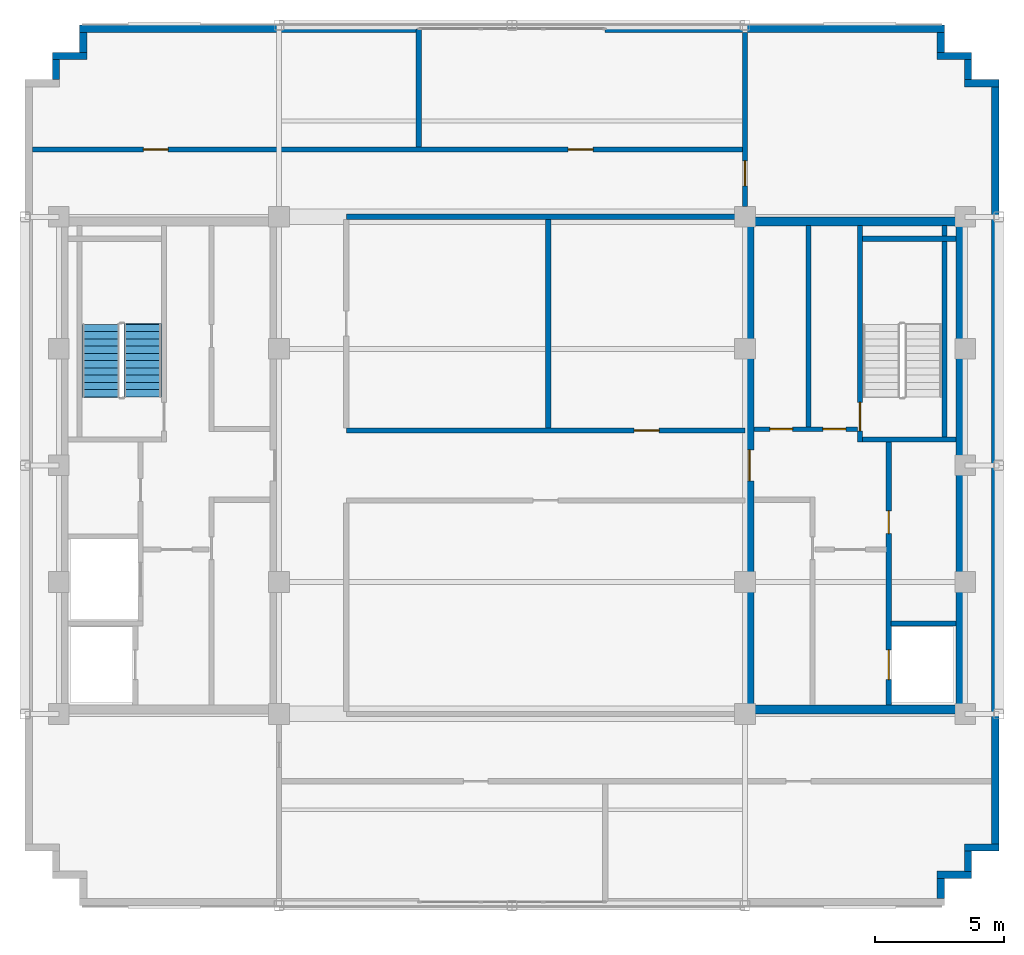
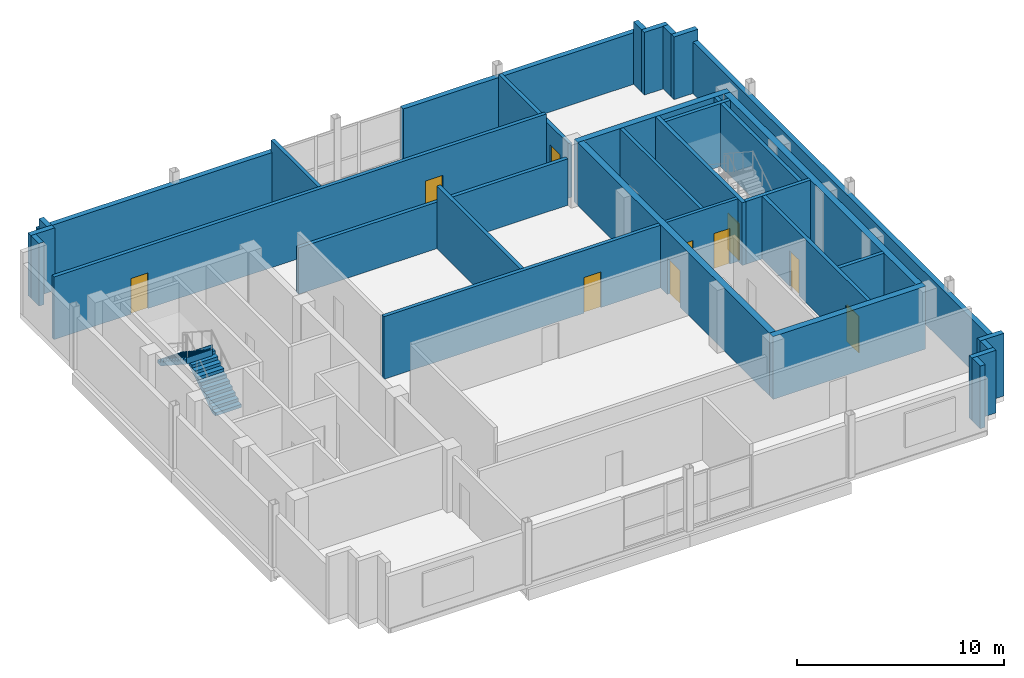
# One storey, part 3 of 10: 32 walls, 10 doors, 2 stair flights, 10 openings, 1 element without a shape of its own.
"""IFC4 building model written with IfcOpenShell, lengths in metres."""

from ifc_helpers import new_model, si_unit, direction, frame, frame_2d, origin, place, context, subcontext, project, spatial, polyline, rectangle, outline, extrude, source, transform, mapped, material, layer, layer_set, type_object, type_shapes, element, fill, aggregate, save


model = new_model("IFC4")

# Units and contexts
model_context = context("Model", 3, precision=1e-05, world=origin(), true_north=direction((0.0, 1.0)))
body_context = subcontext(model_context, "Body", "Model", "MODEL_VIEW")
ifc_project = project(units=[si_unit("LENGTHUNIT", "METRE"), si_unit("AREAUNIT", "SQUARE_METRE"), si_unit("VOLUMEUNIT", "CUBIC_METRE"), si_unit("PLANEANGLEUNIT", "RADIAN"), si_unit("MASSUNIT", "GRAM", prefix="KILO")], contexts=[model_context])

# Site, building, storey
site_placement = place(None, origin())
site = spatial("IfcSite", under=ifc_project, at=site_placement, CompositionType="ELEMENT")
building_placement = place(site_placement, origin())
building = spatial("IfcBuilding", under=site, at=building_placement, Name="Nuvemarco Arch Tower", CompositionType="ELEMENT")
storey_placement = place(building_placement, frame((0.0, 0.0, 291.14990234375)))
storey = spatial("IfcBuildingStorey", under=building, at=storey_placement, Name="L77", CompositionType="ELEMENT", Elevation=291.14990234375)

# Walls
ifc_material_1 = material(Name="Precast concrete C45/55", Category="concrete")
ifc_layer_1 = layer(ifc_material_1, 0.280029296875, Name="EW-CRN-280")
ifc_layer_set_1 = layer_set([ifc_layer_1], Name="Precast concrete C45/55")
wall_type_1 = type_object("IfcWallType", Name="EW-CRN-280", PredefinedType="STANDARD", material=ifc_layer_set_1)
wall_1_placement = place(storey_placement, frame((16.56005859375, -16.72412109375, 0.0), z_axis=(0.0, 0.0, 1.0), x_axis=(0.0, 1.0, 0.0)))
element("IfcWall", 1, at=wall_1_placement, inside=storey, type_object=wall_type_1, Name="L77 exterior precast facade wall 2", PredefinedType="STANDARD", context=body_context, shape_type="SweptSolid", body=[
    extrude(rectangle(XDim=0.778076171875, YDim=0.280029296875, at=frame_2d((0.38916015625, 0.0))), origin(), (0.0, 0.0, 1.0), 3.690185546875),
])
wall_2_placement = place(storey_placement, frame((16.419921875, -15.81005859375, 0.0), z_axis=(0.0, 0.0, 1.0), x_axis=(1.0, 0.0, 0.0)))
element("IfcWall", 2, at=wall_2_placement, inside=storey, type_object=wall_type_1, Name="L77 exterior precast facade wall 3", PredefinedType="STANDARD", context=body_context, shape_type="SweptSolid", body=[
    extrude(rectangle(XDim=1.330078125, YDim=0.280029296875, at=frame_2d((0.6650390625, 0.0))), origin(), (0.0, 0.0, 1.0), 3.690185546875),
])
wall_3_placement = place(storey_placement, frame((17.610107421875, -15.674072265625, 0.0), z_axis=(0.0, 0.0, 1.0), x_axis=(0.0, 1.0, 0.0)))
element("IfcWall", 3, at=wall_3_placement, inside=storey, type_object=wall_type_1, Name="L77 exterior precast facade wall 4", PredefinedType="STANDARD", context=body_context, shape_type="SweptSolid", body=[
    extrude(rectangle(XDim=0.778076171875, YDim=0.280029296875, at=frame_2d((0.38916015625, 0.0))), origin(), (0.0, 0.0, 1.0), 3.690185546875),
])
wall_4_placement = place(storey_placement, frame((17.469970703125, -14.760009765625, 0.0), z_axis=(0.0, 0.0, 1.0), x_axis=(1.0, 0.0, 0.0)))
element("IfcWall", 4, at=wall_4_placement, inside=storey, type_object=wall_type_1, Name="L77 exterior precast facade wall 5", PredefinedType="STANDARD", context=body_context, shape_type="SweptSolid", body=[
    extrude(rectangle(XDim=1.330078125, YDim=0.280029296875, at=frame_2d((0.6650390625, 0.0))), origin(), (0.0, 0.0, 1.0), 3.690185546875),
])
wall_5_placement = place(storey_placement, frame((18.659912109375, -14.6240234375, 0.0), z_axis=(0.0, 0.0, 1.0), x_axis=(0.0, 1.0, 0.0)))
element("IfcWall", 5, at=wall_5_placement, inside=storey, type_object=wall_type_1, Name="L77 exterior precast facade wall 6", PredefinedType="STANDARD", context=body_context, shape_type="SweptSolid", body=[
    extrude(rectangle(XDim=29.248046875, YDim=0.280029296875, at=frame_2d((14.6240234375, 0.0))), origin(), (0.0, 0.0, 1.0), 3.03515625),
])
wall_6_placement = place(storey_placement, frame((17.469970703125, 14.760009765625, 0.0), z_axis=(0.0, 0.0, 1.0), x_axis=(1.0, 0.0, 0.0)))
element("IfcWall", 6, at=wall_6_placement, inside=storey, type_object=wall_type_1, Name="L77 exterior precast facade wall 7", PredefinedType="STANDARD", context=body_context, shape_type="SweptSolid", body=[
    extrude(rectangle(XDim=1.330078125, YDim=0.280029296875, at=frame_2d((0.6650390625, 0.0))), origin(), (0.0, 0.0, 1.0), 3.690185546875),
])
wall_7_placement = place(storey_placement, frame((17.610107421875, 14.89599609375, 0.0), z_axis=(0.0, 0.0, 1.0), x_axis=(0.0, 1.0, 0.0)))
element("IfcWall", 7, at=wall_7_placement, inside=storey, type_object=wall_type_1, Name="L77 exterior precast facade wall 8", PredefinedType="STANDARD", context=body_context, shape_type="SweptSolid", body=[
    extrude(rectangle(XDim=0.778076171875, YDim=0.280029296875, at=frame_2d((0.38916015625, 0.0))), origin(), (0.0, 0.0, 1.0), 3.690185546875),
])
wall_8_placement = place(storey_placement, frame((16.419921875, 15.81005859375, 0.0), z_axis=(0.0, 0.0, 1.0), x_axis=(1.0, 0.0, 0.0)))
element("IfcWall", 8, at=wall_8_placement, inside=storey, type_object=wall_type_1, Name="L77 exterior precast facade wall 9", PredefinedType="STANDARD", context=body_context, shape_type="SweptSolid", body=[
    extrude(rectangle(XDim=1.330078125, YDim=0.280029296875, at=frame_2d((0.6650390625, 0.0))), origin(), (0.0, 0.0, 1.0), 3.690185546875),
])
wall_9_placement = place(storey_placement, frame((16.56005859375, 15.946044921875, 0.0), z_axis=(0.0, 0.0, 1.0), x_axis=(0.0, 1.0, 0.0)))
element("IfcWall", 9, at=wall_9_placement, inside=storey, type_object=wall_type_1, Name="L77 exterior precast facade wall 10", PredefinedType="STANDARD", context=body_context, shape_type="SweptSolid", body=[
    extrude(rectangle(XDim=0.778076171875, YDim=0.280029296875, at=frame_2d((0.38916015625, 0.0))), origin(), (0.0, 0.0, 1.0), 3.690185546875),
])
for number, where, z_axis, x_axis, name in (
    (10, (-16.699951171875, 16.860107421875, 0.0), (0.0, 0.0, 1.0), (1.0, 0.0, 0.0), "L77 exterior precast pier wall north left"),
    (11, (3.60009765625, 16.860107421875, 0.0), (0.0, 0.0, 1.0), (1.0, 0.0, 0.0), "L77 exterior precast pier wall north right"),
):
    element("IfcWall", number, at=place(storey_placement, frame(where, z_axis=z_axis, x_axis=x_axis)), inside=storey, type_object=wall_type_1, Name=name, PredefinedType="STANDARD", context=body_context, shape_type="SweptSolid", body=[
        extrude(rectangle(XDim=13.099853515625, YDim=0.280029296875, at=frame_2d((6.5498046875, 0.0))), origin(), (0.0, 0.0, 1.0), 3.03515625),
    ])
wall_10_placement = place(storey_placement, frame((-16.56005859375, 15.946044921875, 0.0), z_axis=(0.0, 0.0, 1.0), x_axis=(0.0, 1.0, 0.0)))
element("IfcWall", 12, at=wall_10_placement, inside=storey, type_object=wall_type_1, Name="L77 exterior precast facade wall 12", PredefinedType="STANDARD", context=body_context, shape_type="SweptSolid", body=[
    extrude(rectangle(XDim=0.778076171875, YDim=0.280029296875, at=frame_2d((0.38916015625, 0.0))), origin(), (0.0, 0.0, 1.0), 3.690185546875),
])
wall_11_placement = place(storey_placement, frame((-17.75, 15.81005859375, 0.0), z_axis=(0.0, 0.0, 1.0), x_axis=(1.0, 0.0, 0.0)))
element("IfcWall", 13, at=wall_11_placement, inside=storey, type_object=wall_type_1, Name="L77 exterior precast facade wall 13", PredefinedType="STANDARD", context=body_context, shape_type="SweptSolid", body=[
    extrude(rectangle(XDim=1.330078125, YDim=0.280029296875, at=frame_2d((0.6650390625, 0.0))), origin(), (0.0, 0.0, 1.0), 3.690185546875),
])
wall_12_placement = place(storey_placement, frame((-17.610107421875, 14.89599609375, 0.0), z_axis=(0.0, 0.0, 1.0), x_axis=(0.0, 1.0, 0.0)))
element("IfcWall", 14, at=wall_12_placement, inside=storey, type_object=wall_type_1, Name="L77 exterior precast facade wall 14", PredefinedType="STANDARD", context=body_context, shape_type="SweptSolid", body=[
    extrude(rectangle(XDim=0.778076171875, YDim=0.280029296875, at=frame_2d((0.38916015625, 0.0))), origin(), (0.0, 0.0, 1.0), 3.690185546875),
])
ifc_material_2 = material(Name="Concrete C50/60", Category="concrete")
ifc_layer_2 = layer(ifc_material_2, 0.35009765625, Name="WL-CORE-350")
ifc_layer_set_2 = layer_set([ifc_layer_2], Name="Concrete C50/60")
wall_type_2 = type_object("IfcWallType", Name="WL-CORE-350", PredefinedType="SHEAR", material=ifc_layer_set_2)
for number, where, z_axis, x_axis, name in (
    (15, (9.0, -9.425048828125, 0.0), (0.0, 0.0, 1.0), (1.0, 0.0, 0.0), "L77 E-core shear wall S"),
    (16, (9.0, 9.425048828125, 0.0), (0.0, 0.0, 1.0), (1.0, 0.0, 0.0), "L77 E-core shear wall N"),
):
    element("IfcWall", number, at=place(storey_placement, frame(where, z_axis=z_axis, x_axis=x_axis)), inside=storey, type_object=wall_type_2, Name=name, PredefinedType="SHEAR", context=body_context, shape_type="SweptSolid", body=[
        extrude(rectangle(XDim=8.5, YDim=0.35009765625, at=frame_2d((4.25, 0.0))), origin(), (0.0, 0.0, 1.0), 3.7001953125),
    ])

# Wall, opening, door
wall_13_placement = place(storey_placement, frame((9.175048828125, -9.2548828125, 0.0), z_axis=(0.0, 0.0, 1.0), x_axis=(0.0, 1.0, 0.0)))
wall_13 = element("IfcWall", 17, at=wall_13_placement, inside=storey, type_object=wall_type_2, Name="L77 E-core shear wall W", PredefinedType="SHEAR", context=body_context, shape_type="SweptSolid", body=[
    extrude(rectangle(XDim=18.509765625, YDim=0.35009765625, at=frame_2d((9.2548828125, 0.0))), origin(), (0.0, 0.0, 1.0), 3.7001953125),
])
opening_1_placement = place(wall_13_placement, frame((8.655029296875, 0.0, 0.0)))
opening_1 = element("IfcOpeningElement", 18, at=opening_1_placement, cuts=wall_13, Name="Opening FD-2", PredefinedType="OPENING", context=body_context, shape_type="SweptSolid", body=[
    extrude(rectangle(XDim=1.199951171875, YDim=2.14990234375, at=frame_2d((0.60009765625, 1.074951171875))), frame((0.0, 0.18505859375, 0.0), z_axis=(0.0, -1.0, 0.0), x_axis=(1.0, 0.0, 0.0)), (0.0, 0.0, 1.0), 0.3701171875),
])
ifc_material_3 = material(Name="Anodised steel fire door", Category="steel")
door_type_1 = type_object("IfcDoorType", Name="DR-FFLOB-FD", OperationType="NOTDEFINED", PredefinedType="DOOR", material=ifc_material_3)
shared_shape_1 = source(origin(), body_context, "Body", "SweptSolid", [
    extrude(rectangle(XDim=1.199951171875, YDim=2.14990234375, at=frame_2d((0.60009765625, 1.074951171875))), frame((0.0, 0.02490234375, 0.0), z_axis=(0.0, -1.0, 0.0), x_axis=(1.0, 0.0, 0.0)), (0.0, 0.0, 1.0), 0.050048828125),
])
type_shapes(door_type_1, [shared_shape_1])
door_1_placement = place(opening_1_placement, origin())
door_1 = element("IfcDoor", 19, at=door_1_placement, inside=storey, type_object=door_type_1, Name="L77 door FD-L77-ECORE-W", OperationType="SINGLE_SWING_LEFT", OverallHeight=2.14990234375, OverallWidth=1.199951171875, PredefinedType="DOOR", context=body_context, shape_type="MappedRepresentation", body=[
    mapped(shared_shape_1, transform((0.0, 0.0, 0.0), scale=1.0)),
])
fill(opening_1, door_1)

# Wall
wall_14_placement = place(storey_placement, frame((17.324951171875, -9.2548828125, 0.0), z_axis=(0.0, 0.0, 1.0), x_axis=(0.0, 1.0, 0.0)))
element("IfcWall", 20, at=wall_14_placement, inside=storey, type_object=wall_type_2, Name="L77 E-core shear wall E", PredefinedType="SHEAR", context=body_context, shape_type="SweptSolid", body=[
    extrude(rectangle(XDim=18.509765625, YDim=0.35009765625, at=frame_2d((9.2548828125, 0.0))), origin(), (0.0, 0.0, 1.0), 3.7001953125),
])

# Wall, openings, doors
ifc_material_4 = material(Name="Fire-rated gypsum drywall partition")
ifc_layer_3 = layer(ifc_material_4, 0.179931640625, Name="WL-CORR-180")
ifc_layer_set_3 = layer_set([ifc_layer_3], Name="Fire-rated gypsum drywall partition")
wall_type_3 = type_object("IfcWallType", Name="WL-CORR-180", PredefinedType="PARTITIONING", material=ifc_layer_set_3)
wall_15_placement = place(storey_placement, frame((9.344970703125, 1.39990234375, 0.0), z_axis=(0.0, 0.0, 1.0), x_axis=(1.0, 0.0, 0.0)))
wall_15 = element("IfcWall", 21, at=wall_15_placement, inside=storey, type_object=wall_type_3, Name="L77 interior wall IW-L77-EK-S", PredefinedType="PARTITIONING", context=body_context, shape_type="SweptSolid", body=[
    extrude(rectangle(XDim=4.0, YDim=0.179931640625, at=frame_2d((2.0, 0.0))), origin(), (0.0, 0.0, 1.0), 3.690185546875),
])
opening_2_placement = place(wall_15_placement, frame((0.614990234375, 0.0, 0.0)))
opening_2 = element("IfcOpeningElement", 22, at=opening_2_placement, cuts=wall_15, Name="Opening FD-4", PredefinedType="OPENING", context=body_context, shape_type="SweptSolid", body=[
    extrude(rectangle(XDim=0.8798828125, YDim=2.10009765625, at=frame_2d((0.43994140625, 1.050048828125))), frame((0.0, 0.099853515625, 0.0), z_axis=(0.0, -1.0, 0.0), x_axis=(1.0, 0.0, 0.0)), (0.0, 0.0, 1.0), 0.199951171875),
])
opening_3_placement = place(wall_15_placement, frame((2.6650390625, 0.0, 0.0)))
opening_3 = element("IfcOpeningElement", 23, at=opening_3_placement, cuts=wall_15, Name="Opening FD-4", PredefinedType="OPENING", context=body_context, shape_type="SweptSolid", body=[
    extrude(rectangle(XDim=0.8798828125, YDim=2.10009765625, at=frame_2d((0.43994140625, 1.050048828125))), frame((0.0, 0.099853515625, 0.0), z_axis=(0.0, -1.0, 0.0), x_axis=(1.0, 0.0, 0.0)), (0.0, 0.0, 1.0), 0.199951171875),
])
door_type_2 = type_object("IfcDoorType", Name="DR-RISER-FD", OperationType="NOTDEFINED", PredefinedType="DOOR", material=ifc_material_3)
shared_shape_2 = source(origin(), body_context, "Body", "SweptSolid", [
    extrude(rectangle(XDim=0.8798828125, YDim=2.10009765625, at=frame_2d((0.43994140625, 1.050048828125))), frame((0.0, 0.02490234375, 0.0), z_axis=(0.0, -1.0, 0.0), x_axis=(1.0, 0.0, 0.0)), (0.0, 0.0, 1.0), 0.050048828125),
])
type_shapes(door_type_2, [shared_shape_2])
door_2_placement = place(opening_2_placement, origin())
door_2 = element("IfcDoor", 24, at=door_2_placement, inside=storey, type_object=door_type_2, Name="L77 door FD-L77-EK2A", OperationType="SINGLE_SWING_RIGHT", OverallHeight=2.10009765625, OverallWidth=0.8798828125, PredefinedType="DOOR", context=body_context, shape_type="MappedRepresentation", body=[
    mapped(shared_shape_2, transform((0.0, 0.0, 0.0), scale=1.0)),
])
fill(opening_2, door_2)
door_3_placement = place(opening_3_placement, origin())
door_3 = element("IfcDoor", 25, at=door_3_placement, inside=storey, type_object=door_type_2, Name="L77 door FD-L77-EK2B", OperationType="SINGLE_SWING_LEFT", OverallHeight=2.10009765625, OverallWidth=0.8798828125, PredefinedType="DOOR", context=body_context, shape_type="MappedRepresentation", body=[
    mapped(shared_shape_2, transform((0.0, 0.0, 0.0), scale=1.0)),
])
fill(opening_3, door_3)

# Wall
wall_16_placement = place(storey_placement, frame((11.449951171875, 1.489990234375, 0.0), z_axis=(0.0, 0.0, 1.0), x_axis=(0.0, 1.0, 0.0)))
element("IfcWall", 26, at=wall_16_placement, inside=storey, type_object=wall_type_3, Name="L77 interior wall IW-L77-EK2", PredefinedType="PARTITIONING", context=body_context, shape_type="SweptSolid", body=[
    extrude(rectangle(XDim=7.764892578125, YDim=0.179931640625, at=frame_2d((3.88232421875, 0.0))), origin(), (0.0, 0.0, 1.0), 3.690185546875),
])

# Wall, opening, door
ifc_layer_4 = layer(ifc_material_1, 0.199951171875, Name="WL-PLANT-200")
ifc_layer_set_4 = layer_set([ifc_layer_4], Name="Precast concrete C45/55")
wall_type_4 = type_object("IfcWallType", Name="WL-PLANT-200", PredefinedType="STANDARD", material=ifc_layer_set_4)
wall_17_placement = place(storey_placement, frame((-6.39990234375, 1.35009765625, 0.0), z_axis=(0.0, 0.0, 1.0), x_axis=(1.0, 0.0, 0.0)))
wall_17 = element("IfcWall", 27, at=wall_17_placement, inside=storey, type_object=wall_type_4, Name="L77 interior wall IW-L77-004", PredefinedType="STANDARD", context=body_context, shape_type="SweptSolid", body=[
    extrude(rectangle(XDim=15.39990234375, YDim=0.199951171875, at=frame_2d((7.699951171875, 0.0))), origin(), (0.0, 0.0, 1.0), 3.690185546875),
])
opening_4_placement = place(wall_17_placement, frame((11.1201171875, 0.0, 0.0)))
opening_4 = element("IfcOpeningElement", 28, at=opening_4_placement, cuts=wall_17, Name="Opening FD-5", PredefinedType="OPENING", context=body_context, shape_type="SweptSolid", body=[
    extrude(rectangle(XDim=0.9599609375, YDim=2.10009765625, at=frame_2d((0.47998046875, 1.050048828125))), frame((0.0, 0.10986328125, 0.0), z_axis=(0.0, -1.0, 0.0), x_axis=(1.0, 0.0, 0.0)), (0.0, 0.0, 1.0), 0.219970703125),
])
ifc_material_5 = material(Name="Timber fire door", Category="wood")
door_type_3 = type_object("IfcDoorType", Name="DR-CORR-FD", OperationType="NOTDEFINED", PredefinedType="DOOR", material=ifc_material_5)
shared_shape_3 = source(origin(), body_context, "Body", "SweptSolid", [
    extrude(rectangle(XDim=0.9599609375, YDim=2.10009765625, at=frame_2d((0.47998046875, 1.050048828125))), frame((0.0, 0.02490234375, 0.0), z_axis=(0.0, -1.0, 0.0), x_axis=(1.0, 0.0, 0.0)), (0.0, 0.0, 1.0), 0.050048828125),
])
type_shapes(door_type_3, [shared_shape_3])
door_4_placement = place(opening_4_placement, origin())
door_4 = element("IfcDoor", 29, at=door_4_placement, inside=storey, type_object=door_type_3, Name="L77 door DR-L77-CRN_PUMP2", OperationType="SINGLE_SWING_RIGHT", OverallHeight=2.10009765625, OverallWidth=0.9599609375, PredefinedType="DOOR", context=body_context, shape_type="MappedRepresentation", body=[
    mapped(shared_shape_3, transform((0.0, 0.0, 0.0), scale=1.0)),
])
fill(opening_4, door_4)

# Wall
wall_18_placement = place(storey_placement, frame((-6.39990234375, 9.60009765625, 0.0), z_axis=(0.0, 0.0, 1.0), x_axis=(1.0, 0.0, 0.0)))
element("IfcWall", 30, at=wall_18_placement, inside=storey, type_object=wall_type_4, Name="L77 interior wall IW-L77-005", PredefinedType="STANDARD", context=body_context, shape_type="SweptSolid", body=[
    extrude(rectangle(XDim=15.00390625, YDim=0.199951171875, at=frame_2d((7.501953125, 0.0))), origin(), (0.0, 0.0, 1.0), 2.735107421875),
])

# Wall, openings, doors
wall_19_placement = place(storey_placement, frame((-18.52001953125, 12.199951171875, 0.0), z_axis=(0.0, 0.0, 1.0), x_axis=(1.0, 0.0, 0.0)))
wall_19 = element("IfcWall", 31, at=wall_19_placement, inside=storey, type_object=wall_type_4, Name="L77 interior wall IW-L77-006", PredefinedType="STANDARD", context=body_context, shape_type="SweptSolid", body=[
    extrude(rectangle(XDim=27.424072265625, YDim=0.199951171875, at=frame_2d((13.7119140625, 0.0))), origin(), (0.0, 0.0, 1.0), 3.690185546875),
])
opening_5_placement = place(wall_19_placement, frame((20.69189453125, 0.0, 0.0)))
opening_5 = element("IfcOpeningElement", 32, at=opening_5_placement, cuts=wall_19, Name="Opening FD-5", PredefinedType="OPENING", context=body_context, shape_type="SweptSolid", body=[
    extrude(rectangle(XDim=0.9599609375, YDim=2.10009765625, at=frame_2d((0.47998046875, 1.050048828125))), frame((0.0, 0.10986328125, 0.0), z_axis=(0.0, -1.0, 0.0), x_axis=(1.0, 0.0, 0.0)), (0.0, 0.0, 1.0), 0.219970703125),
])
opening_6_placement = place(wall_19_placement, frame((4.280029296875, 0.0, 0.0)))
opening_6 = element("IfcOpeningElement", 33, at=opening_6_placement, cuts=wall_19, Name="Opening FD-5", PredefinedType="OPENING", context=body_context, shape_type="SweptSolid", body=[
    extrude(rectangle(XDim=0.9599609375, YDim=2.10009765625, at=frame_2d((0.47998046875, 1.050048828125))), frame((0.0, 0.10986328125, 0.0), z_axis=(0.0, -1.0, 0.0), x_axis=(1.0, 0.0, 0.0)), (0.0, 0.0, 1.0), 0.219970703125),
])
door_5_placement = place(opening_5_placement, origin())
door_5 = element("IfcDoor", 34, at=door_5_placement, inside=storey, type_object=door_type_3, Name="L77 door DR-L77-CRN_N2", OperationType="SINGLE_SWING_RIGHT", OverallHeight=2.10009765625, OverallWidth=0.9599609375, PredefinedType="DOOR", context=body_context, shape_type="MappedRepresentation", body=[
    mapped(shared_shape_3, transform((0.0, 0.0, 0.0), scale=1.0)),
])
fill(opening_5, door_5)
door_6_placement = place(opening_6_placement, origin())
door_6 = element("IfcDoor", 35, at=door_6_placement, inside=storey, type_object=door_type_3, Name="L77 door DR-L77-CRN_N1", OperationType="SINGLE_SWING_RIGHT", OverallHeight=2.10009765625, OverallWidth=0.9599609375, PredefinedType="DOOR", context=body_context, shape_type="MappedRepresentation", body=[
    mapped(shared_shape_3, transform((0.0, 0.0, 0.0), scale=1.0)),
])
fill(opening_6, door_6)

# Walls
wall_20_placement = place(storey_placement, frame((-3.60009765625, 12.2958984375, 0.0), z_axis=(0.0, 0.0, 1.0), x_axis=(0.0, 1.0, 0.0)))
element("IfcWall", 36, at=wall_20_placement, inside=storey, type_object=wall_type_4, Name="L77 interior wall IW-L77-010", PredefinedType="STANDARD", context=body_context, shape_type="SweptSolid", body=[
    extrude(rectangle(XDim=4.549072265625, YDim=0.199951171875, at=frame_2d((2.2744140625, 0.0))), origin(), (0.0, 0.0, 1.0), 3.690185546875),
])
wall_21_placement = place(storey_placement, frame((1.39990234375, 1.446044921875, 0.0), z_axis=(0.0, 0.0, 1.0), x_axis=(0.0, 1.0, 0.0)))
element("IfcWall", 37, at=wall_21_placement, inside=storey, type_object=wall_type_4, Name="L77 interior wall IW-L77-011", PredefinedType="STANDARD", context=body_context, shape_type="SweptSolid", body=[
    extrude(rectangle(XDim=8.057861328125, YDim=0.199951171875, at=frame_2d((4.02880859375, 0.0))), origin(), (0.0, 0.0, 1.0), 3.690185546875),
])

# Wall, opening, door
wall_22_placement = place(storey_placement, frame((9.0, 9.99609375, 0.0), z_axis=(0.0, 0.0, 1.0), x_axis=(0.0, 1.0, 0.0)))
wall_22 = element("IfcWall", 38, at=wall_22_placement, inside=storey, type_object=wall_type_4, Name="L77 interior wall IW-L77-013", PredefinedType="STANDARD", context=body_context, shape_type="SweptSolid", body=[
    extrude(rectangle(XDim=6.723876953125, YDim=0.199951171875, at=frame_2d((3.36181640625, 0.0))), origin(), (0.0, 0.0, 1.0), 3.22216796875),
])
opening_7_placement = place(wall_22_placement, frame((0.800048828125, 0.0, 0.0)))
opening_7 = element("IfcOpeningElement", 39, at=opening_7_placement, cuts=wall_22, Name="Opening FD-5", PredefinedType="OPENING", context=body_context, shape_type="SweptSolid", body=[
    extrude(rectangle(XDim=0.9599609375, YDim=2.10009765625, at=frame_2d((0.47998046875, 1.050048828125))), frame((0.0, 0.10986328125, 0.0), z_axis=(0.0, -1.0, 0.0), x_axis=(1.0, 0.0, 0.0)), (0.0, 0.0, 1.0), 0.219970703125),
])
door_7_placement = place(opening_7_placement, origin())
door_7 = element("IfcDoor", 40, at=door_7_placement, inside=storey, type_object=door_type_3, Name="L77 door DR-L77-CRN_NE", OperationType="SINGLE_SWING_LEFT", OverallHeight=2.10009765625, OverallWidth=0.9599609375, PredefinedType="DOOR", context=body_context, shape_type="MappedRepresentation", body=[
    mapped(shared_shape_3, transform((0.0, 0.0, 0.0), scale=1.0)),
])
fill(opening_7, door_7)

ifc_layer_5 = layer(ifc_material_2, 0.199951171875, Name="WL-SHAFT-220")
ifc_layer_set_5 = layer_set([ifc_layer_5], Name="Concrete C50/60")
wall_type_5 = type_object("IfcWallType", Name="WL-SHAFT-220", PredefinedType="SHEAR", material=ifc_layer_set_5)
wall_23_placement = place(storey_placement, frame((13.43994140625, 0.89990234375, 0.0), z_axis=(0.0, 0.0, 1.0), x_axis=(0.0, 1.0, 0.0)))
wall_23 = element("IfcWall", 41, at=wall_23_placement, inside=storey, type_object=wall_type_5, Name="L77 structural shaft wall SW-L77-E-ST2W", PredefinedType="SHEAR", context=body_context, shape_type="SweptSolid", body=[
    extrude(rectangle(XDim=8.35498046875, YDim=0.199951171875, at=frame_2d((4.177490234375, 0.0))), origin(), (0.0, 0.0, 1.0), 3.7001953125),
])
opening_8_placement = place(wall_23_placement, frame((0.429931640625, 0.0, 0.0)))
opening_8 = element("IfcOpeningElement", 42, at=opening_8_placement, cuts=wall_23, Name="Opening FD-1", PredefinedType="OPENING", context=body_context, shape_type="SweptSolid", body=[
    extrude(rectangle(XDim=1.10009765625, YDim=2.14990234375, at=frame_2d((0.550048828125, 1.074951171875))), frame((0.0, 0.10986328125, 0.0), z_axis=(0.0, -1.0, 0.0), x_axis=(1.0, 0.0, 0.0)), (0.0, 0.0, 1.0), 0.219970703125),
])
door_type_4 = type_object("IfcDoorType", Name="DR-STAIR-FD", OperationType="NOTDEFINED", PredefinedType="DOOR", material=ifc_material_3)
shared_shape_4 = source(origin(), body_context, "Body", "SweptSolid", [
    extrude(rectangle(XDim=1.10009765625, YDim=2.14990234375, at=frame_2d((0.550048828125, 1.074951171875))), frame((0.0, 0.02490234375, 0.0), z_axis=(0.0, -1.0, 0.0), x_axis=(1.0, 0.0, 0.0)), (0.0, 0.0, 1.0), 0.050048828125),
])
type_shapes(door_type_4, [shared_shape_4])
door_8_placement = place(opening_8_placement, origin())
door_8 = element("IfcDoor", 43, at=door_8_placement, inside=storey, type_object=door_type_4, Name="L77 door FD-L77-ST2", OperationType="SINGLE_SWING_RIGHT", OverallHeight=2.14990234375, OverallWidth=1.10009765625, PredefinedType="DOOR", context=body_context, shape_type="MappedRepresentation", body=[
    mapped(shared_shape_4, transform((0.0, 0.0, 0.0), scale=1.0)),
])
fill(opening_8, door_8)

# Walls
for number, where, z_axis, x_axis, name in (
    (44, (13.534912109375, 1.0, 0.0), (0.0, 0.0, 1.0), (1.0, 0.0, 0.0), "L77 structural shaft wall SW-L77-E-ST2S"),
    (45, (13.534912109375, 8.75, 0.0), (0.0, 0.0, 1.0), (1.0, 0.0, 0.0), "L77 structural shaft wall SW-L77-E-ST2N"),
):
    element("IfcWall", number, at=place(storey_placement, frame(where, z_axis=z_axis, x_axis=x_axis)), inside=storey, type_object=wall_type_5, Name=name, PredefinedType="SHEAR", context=body_context, shape_type="SweptSolid", body=[
        extrude(rectangle(XDim=3.6201171875, YDim=0.199951171875, at=frame_2d((1.81005859375, 0.0))), origin(), (0.0, 0.0, 1.0), 3.7001953125),
    ])
wall_24_placement = place(storey_placement, frame((16.699951171875, 1.094970703125, 0.0), z_axis=(0.0, 0.0, 1.0), x_axis=(0.0, 1.0, 0.0)))
element("IfcWall", 46, at=wall_24_placement, inside=storey, type_object=wall_type_5, Name="L77 structural shaft wall SW-L77-E-ST2E", PredefinedType="SHEAR", context=body_context, shape_type="SweptSolid", body=[
    extrude(rectangle(XDim=8.159912109375, YDim=0.199951171875, at=frame_2d((4.080078125, 0.0))), origin(), (0.0, 0.0, 1.0), 3.7001953125),
])

# Wall, openings, doors
wall_25_placement = place(storey_placement, frame((14.550048828125, -9.2548828125, 0.0), z_axis=(0.0, 0.0, 1.0), x_axis=(0.0, 1.0, 0.0)))
wall_25 = element("IfcWall", 47, at=wall_25_placement, inside=storey, type_object=wall_type_5, Name="L77 structural shaft wall SW-L77-E-SHW", PredefinedType="SHEAR", context=body_context, shape_type="SweptSolid", body=[
    extrude(rectangle(XDim=10.159912109375, YDim=0.199951171875, at=frame_2d((5.080078125, 0.0))), origin(), (0.0, 0.0, 1.0), 3.7001953125),
])
opening_9_placement = place(wall_25_placement, frame((6.614990234375, 0.0, 0.0)))
opening_9 = element("IfcOpeningElement", 48, at=opening_9_placement, cuts=wall_25, Name="Opening FD-4", PredefinedType="OPENING", context=body_context, shape_type="SweptSolid", body=[
    extrude(rectangle(XDim=0.8798828125, YDim=2.10009765625, at=frame_2d((0.43994140625, 1.050048828125))), frame((0.0, 0.10986328125, 0.0), z_axis=(0.0, -1.0, 0.0), x_axis=(1.0, 0.0, 0.0)), (0.0, 0.0, 1.0), 0.219970703125),
])
opening_10_placement = place(wall_25_placement, frame((0.97998046875, 0.0, 0.0)))
opening_10 = element("IfcOpeningElement", 49, at=opening_10_placement, cuts=wall_25, Name="Opening LD-2", PredefinedType="OPENING", context=body_context, shape_type="SweptSolid", body=[
    extrude(rectangle(XDim=1.14990234375, YDim=2.14990234375, at=frame_2d((0.574951171875, 1.074951171875))), frame((0.0, 0.10986328125, 0.0), z_axis=(0.0, -1.0, 0.0), x_axis=(1.0, 0.0, 0.0)), (0.0, 0.0, 1.0), 0.219970703125),
])
door_9_placement = place(opening_9_placement, origin())
door_9 = element("IfcDoor", 50, at=door_9_placement, inside=storey, type_object=door_type_2, Name="L77 door FD-L77-ERIS", OperationType="SINGLE_SWING_RIGHT", OverallHeight=2.10009765625, OverallWidth=0.8798828125, PredefinedType="DOOR", context=body_context, shape_type="MappedRepresentation", body=[
    mapped(shared_shape_2, transform((0.0, 0.0, 0.0), scale=1.0)),
])
fill(opening_9, door_9)
ifc_material_6 = material(Name="Stainless steel lift door", Category="steel")
door_type_5 = type_object("IfcDoorType", Name="DR-LIFT-FIRE", OperationType="DOUBLE_DOOR_SLIDING", PredefinedType="DOOR", material=ifc_material_6)
shared_shape_5 = source(origin(), body_context, "Body", "SweptSolid", [
    extrude(rectangle(XDim=1.14990234375, YDim=2.14990234375, at=frame_2d((0.574951171875, 1.074951171875))), frame((0.0, 0.02490234375, 0.0), z_axis=(0.0, -1.0, 0.0), x_axis=(1.0, 0.0, 0.0)), (0.0, 0.0, 1.0), 0.050048828125),
])
type_shapes(door_type_5, [shared_shape_5])
door_10_placement = place(opening_10_placement, origin())
door_10 = element("IfcDoor", 51, at=door_10_placement, inside=storey, type_object=door_type_5, Name="L77 Lift landing sliding door FFL-2", OperationType="DOUBLE_DOOR_SLIDING", OverallHeight=2.14990234375, OverallWidth=1.14990234375, PredefinedType="DOOR", context=body_context, shape_type="MappedRepresentation", body=[
    mapped(shared_shape_5, transform((0.0, 0.0, 0.0), scale=1.0)),
])
fill(opening_10, door_10)

# Wall
wall_26_placement = place(storey_placement, frame((14.64501953125, -6.10009765625, 0.0), z_axis=(0.0, 0.0, 1.0), x_axis=(1.0, 0.0, 0.0)))
element("IfcWall", 52, at=wall_26_placement, inside=storey, type_object=wall_type_5, Name="L77 structural shaft wall SW-L77-E-SH1", PredefinedType="SHEAR", context=body_context, shape_type="SweptSolid", body=[
    extrude(rectangle(XDim=2.510009765625, YDim=0.199951171875, at=frame_2d((1.2548828125, 0.0))), origin(), (0.0, 0.0, 1.0), 3.7001953125),
])

# Stair, stair flights
stair_type = type_object("IfcStairType", Name="ST-CORE-22R", PredefinedType="HALF_TURN_STAIR", material=ifc_material_1)
stair_placement = place(storey_placement, origin())
stair = element("IfcStair", 53, at=stair_placement, inside=storey, type_object=stair_type, Name="L77 Protected Exit Stair ST-1", PredefinedType="HALF_TURN_STAIR")
stair_flight_type = type_object("IfcStairFlightType", Name="SF-CORE-22R", PredefinedType="STRAIGHT", material=ifc_material_1)
stair_flight_1_placement = place(storey_placement, frame((-14.264892578125, 2.64990234375, 0.0), z_axis=(0.0, 0.0, 1.0), x_axis=(0.0, 1.0, 0.0)))
stair_flight_1 = element("IfcStairFlight", 54, at=stair_flight_1_placement, type_object=stair_flight_type, Name="ST-22R flight 1", NumberOfRisers=11, NumberOfTreads=10, PredefinedType="STRAIGHT", RiserHeight=0.181818182, TreadLength=0.28, context=body_context, shape_type="SweptSolid", body=[
    extrude(outline(polyline([(0.0, 0.0), (0.0, 0.181884765625), (0.280029296875, 0.181884765625), (0.280029296875, 0.363525390625), (0.56005859375, 0.363525390625), (0.56005859375, 0.54541015625), (0.840087890625, 0.54541015625), (0.840087890625, 0.727294921875), (1.1201171875, 0.727294921875), (1.1201171875, 0.9091796875), (1.39990234375, 0.9091796875), (1.39990234375, 1.0908203125), (1.679931640625, 1.0908203125), (1.679931640625, 1.272705078125), (1.9599609375, 1.272705078125), (1.9599609375, 1.45458984375), (2.239990234375, 1.45458984375), (2.239990234375, 1.636474609375), (2.52001953125, 1.636474609375), (2.52001953125, 1.818115234375), (2.800048828125, 1.818115234375), (2.800048828125, 2.0), (2.820068359375, 2.0), (2.820068359375, 1.62744140625), (0.313720703125, 0.0), (0.0, 0.0)])), frame((0.0, 0.72509765625, 0.0), z_axis=(0.0, -1.0, 0.0), x_axis=(1.0, 0.0, 0.0)), (0.0, 0.0, 1.0), 1.449951171875),
])
stair_flight_2_placement = place(storey_placement, frame((-15.875, 5.449951171875, 2.0), z_axis=(0.0, 0.0, 1.0), x_axis=(0.0, -1.0, 0.0)))
stair_flight_2 = element("IfcStairFlight", 55, at=stair_flight_2_placement, type_object=stair_flight_type, Name="ST-22R flight 2", NumberOfRisers=11, NumberOfTreads=10, PredefinedType="STRAIGHT", RiserHeight=0.181818182, TreadLength=0.28, context=body_context, shape_type="SweptSolid", body=[
    extrude(outline(polyline([(0.0, 0.0), (0.0, 0.181884765625), (0.280029296875, 0.181884765625), (0.280029296875, 0.363525390625), (0.56005859375, 0.363525390625), (0.56005859375, 0.54541015625), (0.840087890625, 0.54541015625), (0.840087890625, 0.727294921875), (1.1201171875, 0.727294921875), (1.1201171875, 0.9091796875), (1.39990234375, 0.9091796875), (1.39990234375, 1.0908203125), (1.679931640625, 1.0908203125), (1.679931640625, 1.272705078125), (1.9599609375, 1.272705078125), (1.9599609375, 1.45458984375), (2.239990234375, 1.45458984375), (2.239990234375, 1.636474609375), (2.52001953125, 1.636474609375), (2.52001953125, 1.818115234375), (2.800048828125, 1.818115234375), (2.800048828125, 2.0), (2.820068359375, 2.0), (2.820068359375, 1.62744140625), (0.313720703125, 0.0), (0.0, 0.0)])), frame((0.0, 0.72509765625, 0.0), z_axis=(0.0, -1.0, 0.0), x_axis=(1.0, 0.0, 0.0)), (0.0, 0.0, 1.0), 1.449951171875),
])
aggregate(stair, [stair_flight_1, stair_flight_2])

save(model, "model.ifc")
